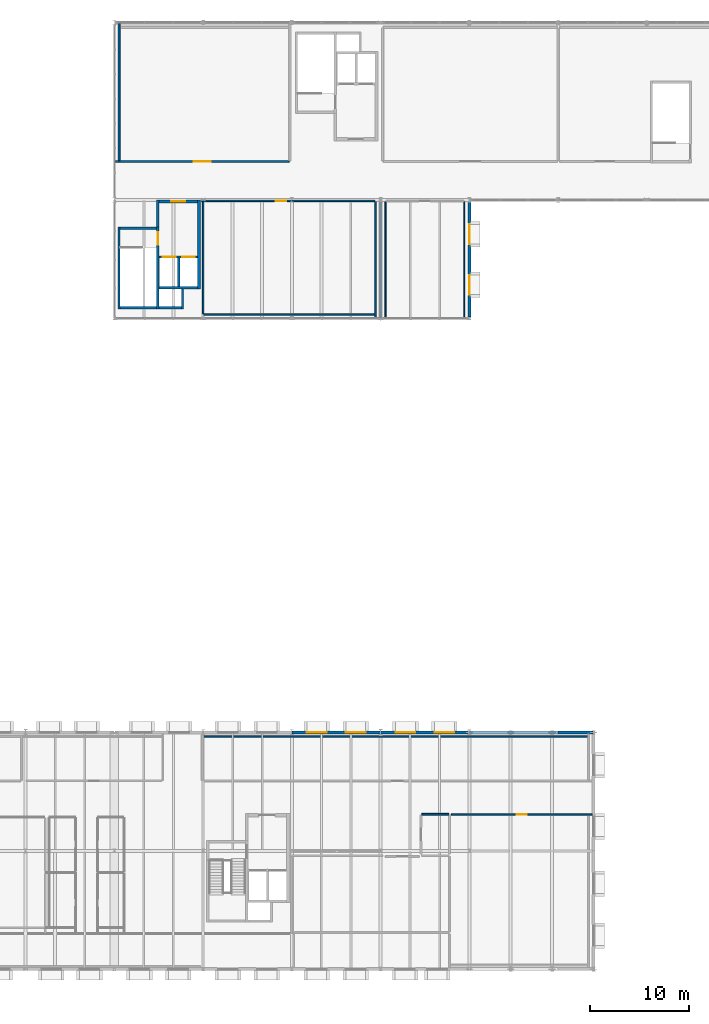
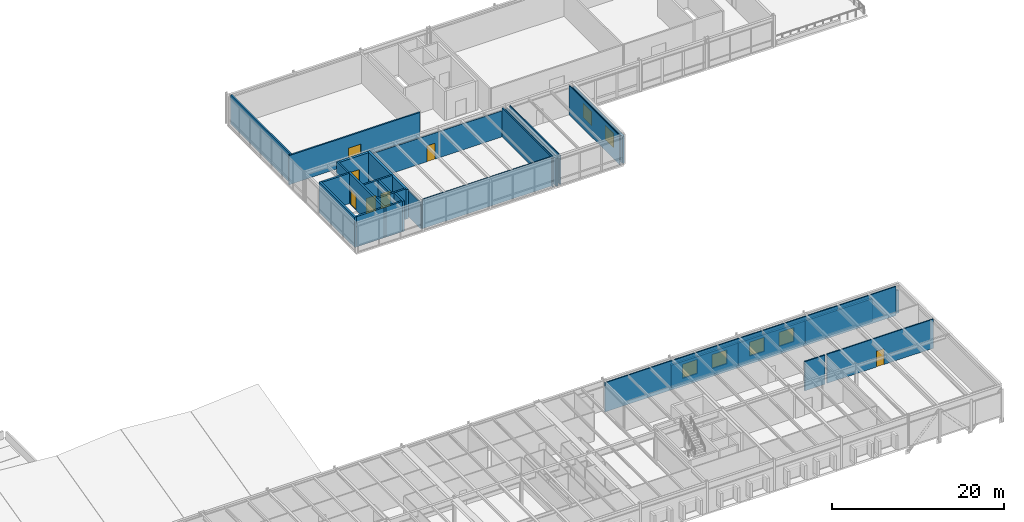
# One storey, part 59 of 67: 29 walls, 7 doors, 6 windows, 13 openings.
"""IFC4 building model written with IfcOpenShell, lengths in metres."""

from ifc_helpers import new_model, si_unit, direction, frame, frame_2d, origin, place, context, subcontext, project, spatial, rectangle, extrude, material, layer, layer_set, type_object, element, fill, save


model = new_model("IFC4")

# Units and contexts
model_context = context("Model", 3, precision=1e-05, world=origin(), true_north=direction((0.0, 1.0)))
body_context = subcontext(model_context, "Body", "Model", "MODEL_VIEW")
ifc_project = project(units=[si_unit("LENGTHUNIT", "METRE"), si_unit("AREAUNIT", "SQUARE_METRE"), si_unit("VOLUMEUNIT", "CUBIC_METRE"), si_unit("PLANEANGLEUNIT", "RADIAN"), si_unit("MASSUNIT", "GRAM", prefix="KILO")], contexts=[model_context])

# Site, building, storey
site_placement = place(None, origin())
site = spatial("IfcSite", under=ifc_project, at=site_placement, CompositionType="ELEMENT")
building_placement = place(site_placement, origin())
building = spatial("IfcBuilding", under=site, at=building_placement, Name="Montelvaro Courts of Justice", CompositionType="ELEMENT")
storey_placement = place(building_placement, frame((0.0, 0.0, 18.89990234375)))
storey = spatial("IfcBuildingStorey", under=building, at=storey_placement, Name="L04", CompositionType="ELEMENT", Elevation=18.89990234375)

# Walls
ifc_material_1 = material(Name="Gypsum board on metal stud")
ifc_layer_1 = layer(ifc_material_1, 0.14990234375)
ifc_layer_set_1 = layer_set([ifc_layer_1], Name="Gypsum board on metal stud")
wall_type_1 = type_object("IfcWallType", Name="ChambersPartition_150", PredefinedType="PARTITIONING", material=ifc_layer_set_1)
wall_1_placement = place(storey_placement, frame((125.5, 77.820068359375, 0.0), z_axis=(0.0, 0.0, 1.0), x_axis=(0.0, -1.0, 0.0)))
element("IfcWall", 1, at=wall_1_placement, inside=storey, type_object=wall_type_1, Name="Interior Partition IW-04 (L04)", PredefinedType="PARTITIONING", context=body_context, shape_type="SweptSolid", body=[
    extrude(rectangle(XDim=11.7451171875, YDim=0.14990234375, at=frame_2d((5.87255859375, 0.0))), origin(), (0.0, 0.0, 1.0), 4.14013671875),
])
wall_2_placement = place(storey_placement, frame((125.429931640625, 66.39990234375, 0.0), z_axis=(0.0, 0.0, 1.0), x_axis=(-1.0, 0.0, 0.0)))
element("IfcWall", 2, at=wall_2_placement, inside=storey, type_object=wall_type_1, Name="Interior Partition IW-04 (L04)", PredefinedType="PARTITIONING", context=body_context, shape_type="SweptSolid", body=[
    extrude(rectangle(XDim=17.349853515625, YDim=0.14990234375, at=frame_2d((8.6748046875, 0.0))), origin(), (0.0, 0.0, 1.0), 4.14013671875),
])
wall_3_placement = place(storey_placement, frame((108.0, 66.47998046875, 0.0), z_axis=(0.0, 0.0, 1.0), x_axis=(0.0, 1.0, 0.0)))
element("IfcWall", 3, at=wall_3_placement, inside=storey, type_object=wall_type_1, Name="Interior Partition IW-04 (L04)", PredefinedType="PARTITIONING", context=body_context, shape_type="SweptSolid", body=[
    extrude(rectangle(XDim=11.340087890625, YDim=0.14990234375, at=frame_2d((5.669921875, 0.0))), origin(), (0.0, 0.0, 1.0), 3.695068359375),
])

# Wall, opening, door
wall_4_placement = place(storey_placement, frame((107.798095703125, 77.89990234375, 0.0), z_axis=(0.0, 0.0, 1.0), x_axis=(1.0, 0.0, 0.0)))
wall_4 = element("IfcWall", 4, at=wall_4_placement, inside=storey, type_object=wall_type_1, Name="Interior Partition IW-04 (L04)", PredefinedType="PARTITIONING", context=body_context, shape_type="SweptSolid", body=[
    extrude(rectangle(XDim=17.621826171875, YDim=0.14990234375, at=frame_2d((8.81103515625, 0.0))), origin(), (0.0, 0.0, 1.0), 3.705078125),
])
opening_1_placement = place(wall_4_placement, frame((7.5810546875, 0.0, 0.0)))
opening_1 = element("IfcOpeningElement", 5, at=opening_1_placement, cuts=wall_4, Name="Opening D-L04-133", PredefinedType="OPENING", context=body_context, shape_type="SweptSolid", body=[
    extrude(rectangle(XDim=1.050048828125, YDim=2.25, at=frame_2d((0.52490234375, 1.125))), frame((0.0, 0.08984375, 0.0), z_axis=(0.0, -1.0, 0.0), x_axis=(1.0, 0.0, 0.0)), (0.0, 0.0, 1.0), 0.1796875),
])
ifc_material_2 = material(Name="Acoustic oak timber veneer", Category="wood")
door_type_1 = type_object("IfcDoorType", Name="ChamberDoor_105x225", OperationType="NOTDEFINED", PredefinedType="DOOR", material=ifc_material_2)
door_1_placement = place(opening_1_placement, frame((1.050048828125, 0.0, 0.0), z_axis=(0.0, 0.0, 1.0), x_axis=(-1.0, 0.0, 0.0)))
door_1 = element("IfcDoor", 6, at=door_1_placement, inside=storey, type_object=door_type_1, Name="Interior Door D-L04-133 (Jury Assembly and Waiting Lounge)", OperationType="SINGLE_SWING_RIGHT", OverallHeight=2.25, OverallWidth=1.050048828125, PredefinedType="DOOR", context=body_context, shape_type="SweptSolid", body=[
    extrude(rectangle(XDim=1.050048828125, YDim=2.25, at=frame_2d((0.52490234375, 1.125))), frame((0.0, 0.02490234375, 0.0), z_axis=(0.0, -1.0, 0.0), x_axis=(1.0, 0.0, 0.0)), (0.0, 0.0, 1.0), 0.050048828125),
])
fill(opening_1, door_1)

# Wall
wall_5_placement = place(storey_placement, frame((107.907958984375, 23.60009765625, 0.0), z_axis=(0.0, 0.0, 1.0), x_axis=(1.0, 0.0, 0.0)))
element("IfcWall", 7, at=wall_5_placement, inside=storey, type_object=wall_type_1, Name="Interior Partition IW-04 (L04)", PredefinedType="PARTITIONING", context=body_context, shape_type="SweptSolid", body=[
    extrude(rectangle(XDim=39.1220703125, YDim=0.14990234375, at=frame_2d((19.56103515625, 0.0))), origin(), (0.0, 0.0, 1.0), 4.14013671875),
])

# Wall, opening, door
wall_6_placement = place(storey_placement, frame((133.179931640625, 15.699951171875, 0.0), z_axis=(0.0, 0.0, 1.0), x_axis=(1.0, 0.0, 0.0)))
wall_6 = element("IfcWall", 8, at=wall_6_placement, inside=storey, type_object=wall_type_1, Name="Interior Partition IW-04 (L04)", PredefinedType="PARTITIONING", context=body_context, shape_type="SweptSolid", body=[
    extrude(rectangle(XDim=14.275146484375, YDim=0.14990234375, at=frame_2d((7.1376953125, 0.0))), origin(), (0.0, 0.0, 1.0), 4.14013671875),
])
opening_2_placement = place(wall_6_placement, frame((6.612060546875, 0.0, 0.0)))
opening_2 = element("IfcOpeningElement", 9, at=opening_2_placement, cuts=wall_6, Name="Opening D-L04-143", PredefinedType="OPENING", context=body_context, shape_type="SweptSolid", body=[
    extrude(rectangle(XDim=1.050048828125, YDim=2.25, at=frame_2d((0.52490234375, 1.125))), frame((0.0, 0.08984375, 0.0), z_axis=(0.0, -1.0, 0.0), x_axis=(1.0, 0.0, 0.0)), (0.0, 0.0, 1.0), 0.1796875),
])
door_2_placement = place(opening_2_placement, frame((1.050048828125, 0.0, 0.0), z_axis=(0.0, 0.0, 1.0), x_axis=(-1.0, 0.0, 0.0)))
door_2 = element("IfcDoor", 10, at=door_2_placement, inside=storey, type_object=door_type_1, Name="Interior Door D-L04-143 (Forensic Records Room L04)", OperationType="SINGLE_SWING_RIGHT", OverallHeight=2.25, OverallWidth=1.050048828125, PredefinedType="DOOR", context=body_context, shape_type="SweptSolid", body=[
    extrude(rectangle(XDim=1.050048828125, YDim=2.25, at=frame_2d((0.52490234375, 1.125))), frame((0.0, 0.02490234375, 0.0), z_axis=(0.0, -1.0, 0.0), x_axis=(1.0, 0.0, 0.0)), (0.0, 0.0, 1.0), 0.050048828125),
])
fill(opening_2, door_2)

ifc_material_3 = material(Name="Concrete C40/50", Category="concrete")
ifc_layer_2 = layer(ifc_material_3, 0.320068359375)
ifc_layer_set_2 = layer_set([ifc_layer_2], Name="Concrete C40/50")
wall_type_2 = type_object("IfcWallType", Name="CoreWall_320", PredefinedType="SHEAR", material=ifc_layer_set_2)
wall_7_placement = place(storey_placement, frame((103.5400390625, 77.840087890625, 0.0), z_axis=(0.0, 0.0, 1.0), x_axis=(1.0, 0.0, 0.0)))
wall_7 = element("IfcWall", 11, at=wall_7_placement, inside=storey, type_object=wall_type_2, Name="Core Shear Wall CW-02 K4-N (L04)", PredefinedType="SHEAR", context=body_context, shape_type="SweptSolid", body=[
    extrude(rectangle(XDim=3.89990234375, YDim=0.320068359375, at=frame_2d((1.949951171875, 0.0))), origin(), (0.0, 0.0, 1.0), 4.16015625),
])
opening_3_placement = place(wall_7_placement, frame((1.22509765625, 0.0, 0.0)))
opening_3 = element("IfcOpeningElement", 12, at=opening_3_placement, cuts=wall_7, Name="Opening DL-L04-K4", PredefinedType="OPENING", context=body_context, shape_type="SweptSolid", body=[
    extrude(rectangle(XDim=1.449951171875, YDim=2.199951171875, at=frame_2d((0.72509765625, 1.10009765625))), frame((0.0, 0.1748046875, 0.0), z_axis=(0.0, -1.0, 0.0), x_axis=(1.0, 0.0, 0.0)), (0.0, 0.0, 1.0), 0.349853515625),
])
ifc_material_4 = material(Name="Galvanised steel S355 security door", Category="steel")
door_type_2 = type_object("IfcDoorType", Name="LobbyFireDoor_145x220", OperationType="DOUBLE_DOOR_SINGLE_SWING", PredefinedType="DOOR", material=ifc_material_4)
door_3_placement = place(opening_3_placement, origin())
door_3 = element("IfcDoor", 13, at=door_3_placement, inside=storey, type_object=door_type_2, Name="Core Lobby Fire Door DL-L04-K4", OperationType="DOUBLE_DOOR_SINGLE_SWING", OverallHeight=2.199951171875, OverallWidth=1.449951171875, PredefinedType="DOOR", context=body_context, shape_type="SweptSolid", body=[
    extrude(rectangle(XDim=1.449951171875, YDim=2.199951171875, at=frame_2d((0.72509765625, 1.10009765625))), frame((0.0, 0.02490234375, 0.0), z_axis=(0.0, -1.0, 0.0), x_axis=(1.0, 0.0, 0.0)), (0.0, 0.0, 1.0), 0.050048828125),
])
fill(opening_3, door_3)

# Walls
wall_8_placement = place(storey_placement, frame((107.60009765625, 68.9599609375, 0.0), z_axis=(0.0, 0.0, 1.0), x_axis=(0.0, 1.0, 0.0)))
element("IfcWall", 14, at=wall_8_placement, inside=storey, type_object=wall_type_2, Name="Core Shear Wall CW-02 K4-E (L04)", PredefinedType="SHEAR", context=body_context, shape_type="SweptSolid", body=[
    extrude(rectangle(XDim=9.0400390625, YDim=0.320068359375, at=frame_2d((4.52001953125, 0.0))), origin(), (0.0, 0.0, 1.0), 4.16015625),
])
ifc_material_5 = material(Name="Fire-rated gypsum and steel stud", Category="steel")
ifc_layer_3 = layer(ifc_material_5, 0.179931640625)
ifc_layer_set_3 = layer_set([ifc_layer_3], Name="Fire-rated gypsum and steel stud")
wall_type_3 = type_object("IfcWallType", Name="CorridorFireWall_180", PredefinedType="PARTITIONING", material=ifc_layer_set_3)
wall_9_placement = place(storey_placement, frame((130.179931640625, 15.699951171875, 0.0), z_axis=(0.0, 0.0, 1.0), x_axis=(1.0, 0.0, 0.0)))
element("IfcWall", 15, at=wall_9_placement, inside=storey, type_object=wall_type_3, Name="Interior Partition IW-02 (L04)", PredefinedType="PARTITIONING", context=body_context, shape_type="SweptSolid", body=[
    extrude(rectangle(XDim=2.739990234375, YDim=0.179931640625, at=frame_2d((1.3701171875, 0.0))), origin(), (0.0, 0.0, 1.0), 4.14013671875),
])

# Wall, opening, door
ifc_material_6 = material(Name="Gypsum acoustic double stud with mineral wool")
ifc_layer_4 = layer(ifc_material_6, 0.199951171875)
ifc_layer_set_4 = layer_set([ifc_layer_4], Name="Gypsum acoustic double stud with mineral wool")
wall_type_4 = type_object("IfcWallType", Name="CourtAcousticWall_200", PredefinedType="PARTITIONING", material=ifc_layer_set_4)
wall_10_placement = place(storey_placement, frame((116.719970703125, 81.89990234375, 0.0), z_axis=(0.0, 0.0, 1.0), x_axis=(-1.0, 0.0, 0.0)))
wall_10 = element("IfcWall", 16, at=wall_10_placement, inside=storey, type_object=wall_type_4, Name="Interior Partition IW-01 (L04)", PredefinedType="PARTITIONING", context=body_context, shape_type="SweptSolid", body=[
    extrude(rectangle(XDim=17.594970703125, YDim=0.199951171875, at=frame_2d((8.79736328125, 0.0))), origin(), (0.0, 0.0, 1.0), 4.14013671875),
])
opening_4_placement = place(wall_10_placement, frame((7.947021484375, 0.0, 0.0)))
opening_4 = element("IfcOpeningElement", 17, at=opening_4_placement, cuts=wall_10, Name="Opening D-L04-130", PredefinedType="OPENING", context=body_context, shape_type="SweptSolid", body=[
    extrude(rectangle(XDim=1.699951171875, YDim=2.39990234375, at=frame_2d((0.85009765625, 1.199951171875))), frame((0.0, 0.11474609375, 0.0), z_axis=(0.0, -1.0, 0.0), x_axis=(1.0, 0.0, 0.0)), (0.0, 0.0, 1.0), 0.229736328125),
])
door_type_3 = type_object("IfcDoorType", Name="CourtDoor_170x240", OperationType="DOUBLE_DOOR_SINGLE_SWING", PredefinedType="DOOR", material=ifc_material_2)
door_4_placement = place(opening_4_placement, origin())
door_4 = element("IfcDoor", 18, at=door_4_placement, inside=storey, type_object=door_type_3, Name="Interior Door D-L04-130 (Provincial Appellate Criminal Courtroom 16)", OperationType="DOUBLE_DOOR_SINGLE_SWING", OverallHeight=2.39990234375, OverallWidth=1.699951171875, PredefinedType="DOOR", context=body_context, shape_type="SweptSolid", body=[
    extrude(rectangle(XDim=1.699951171875, YDim=2.39990234375, at=frame_2d((0.85009765625, 1.199951171875))), frame((0.0, 0.02490234375, 0.0), z_axis=(0.0, -1.0, 0.0), x_axis=(1.0, 0.0, 0.0)), (0.0, 0.0, 1.0), 0.050048828125),
])
fill(opening_4, door_4)

# Wall
wall_11_placement = place(storey_placement, frame((99.5, 81.97998046875, 0.0), z_axis=(0.0, 0.0, 1.0), x_axis=(0.0, 1.0, 0.0)))
element("IfcWall", 19, at=wall_11_placement, inside=storey, type_object=wall_type_4, Name="Interior Partition IW-01 (L04)", PredefinedType="PARTITIONING", context=body_context, shape_type="SweptSolid", body=[
    extrude(rectangle(XDim=13.945068359375, YDim=0.199951171875, at=frame_2d((6.97265625, 0.0))), origin(), (0.0, 0.0, 1.0), 4.14013671875),
])

# Wall, openings, windows
ifc_material_7 = material(Name="White mineral precast concrete C45/55", Category="concrete")
ifc_layer_5 = layer(ifc_material_7, 0.300048828125)
ifc_layer_set_5 = layer_set([ifc_layer_5], Name="White mineral precast concrete C45/55")
wall_type_5 = type_object("IfcWallType", Name="ExtWall_GFRC_300", PredefinedType="SOLIDWALL", material=ifc_layer_set_5)
wall_12_placement = place(storey_placement, frame((135.0, 66.1279296875, 0.0), z_axis=(0.0, 0.0, 1.0), x_axis=(0.0, 1.0, 0.0)))
wall_12 = element("IfcWall", 20, at=wall_12_placement, inside=storey, type_object=wall_type_5, Name="Exterior Facade Wall EW-02 (L04)", PredefinedType="SOLIDWALL", context=body_context, shape_type="SweptSolid", body=[
    extrude(rectangle(XDim=11.649169921875, YDim=0.300048828125, at=frame_2d((5.82470703125, 0.0))), origin(), (0.0, 0.0, 1.0), 3.85498046875),
])
opening_5_placement = place(wall_12_placement, frame((2.261962890625, 0.0, 0.85009765625)))
opening_5 = element("IfcOpeningElement", 21, at=opening_5_placement, cuts=wall_12, Name="Opening WE-11", PredefinedType="OPENING", context=body_context, shape_type="SweptSolid", body=[
    extrude(rectangle(XDim=2.0, YDim=2.0, at=frame_2d((1.0, 1.0))), frame((0.0, 0.1650390625, 0.0), z_axis=(0.0, -1.0, 0.0), x_axis=(1.0, 0.0, 0.0)), (0.0, 0.0, 1.0), 0.329833984375),
])
opening_6_placement = place(wall_12_placement, frame((7.386962890625, 0.0, 0.85009765625)))
opening_6 = element("IfcOpeningElement", 22, at=opening_6_placement, cuts=wall_12, Name="Opening WE-11", PredefinedType="OPENING", context=body_context, shape_type="SweptSolid", body=[
    extrude(rectangle(XDim=2.0, YDim=2.0, at=frame_2d((1.0, 1.0))), frame((0.0, 0.1650390625, 0.0), z_axis=(0.0, -1.0, 0.0), x_axis=(1.0, 0.0, 0.0)), (0.0, 0.0, 1.0), 0.329833984375),
])
ifc_material_8 = material(Name="Low-E solar control double glazing", Category="glass")
window_type = type_object("IfcWindowType", Name="Win_Sq_200x200", PartitioningType="SINGLE_PANEL", PredefinedType="WINDOW", material=ifc_material_8)
window_1_placement = place(opening_5_placement, origin())
window_1 = element("IfcWindow", 23, at=window_1_placement, inside=storey, type_object=window_type, Name="Window W-L04-187", OverallHeight=2.0, OverallWidth=2.0, PartitioningType="SINGLE_PANEL", PredefinedType="WINDOW", context=body_context, shape_type="SweptSolid", body=[
    extrude(rectangle(XDim=2.0, YDim=2.0, at=frame_2d((1.0, 1.0))), frame((0.0, 0.030029296875, 0.0), z_axis=(0.0, -1.0, 0.0), x_axis=(1.0, 0.0, 0.0)), (0.0, 0.0, 1.0), 0.06005859375),
])
fill(opening_5, window_1)
window_2_placement = place(opening_6_placement, origin())
window_2 = element("IfcWindow", 24, at=window_2_placement, inside=storey, type_object=window_type, Name="Window W-L04-188", OverallHeight=2.0, OverallWidth=2.0, PartitioningType="SINGLE_PANEL", PredefinedType="WINDOW", context=body_context, shape_type="SweptSolid", body=[
    extrude(rectangle(XDim=2.0, YDim=2.0, at=frame_2d((1.0, 1.0))), frame((0.0, 0.030029296875, 0.0), z_axis=(0.0, -1.0, 0.0), x_axis=(1.0, 0.0, 0.0)), (0.0, 0.0, 1.0), 0.06005859375),
])
fill(opening_6, window_2)

# Walls
wall_13_placement = place(storey_placement, frame((147.56005859375, 24.0, 0.0), z_axis=(0.0, 0.0, 1.0), x_axis=(-1.0, 0.0, 0.0)))
element("IfcWall", 25, at=wall_13_placement, inside=storey, type_object=wall_type_5, Name="Exterior Facade Wall EW-02 (L04)", PredefinedType="SOLIDWALL", context=body_context, shape_type="SweptSolid", body=[
    extrude(rectangle(XDim=3.570068359375, YDim=0.300048828125, at=frame_2d((1.78515625, 0.0))), origin(), (0.0, 0.0, 1.0), 3.2470703125),
])
wall_14_placement = place(storey_placement, frame((144.010009765625, 24.0, 0.0), z_axis=(0.0, 0.0, 1.0), x_axis=(-1.0, 0.0, 0.0)))
element("IfcWall", 26, at=wall_14_placement, inside=storey, type_object=wall_type_5, Name="Exterior Facade Wall EW-02 (L04)", PredefinedType="SOLIDWALL", context=body_context, shape_type="SweptSolid", body=[
    extrude(rectangle(XDim=9.001953125, YDim=0.300048828125, at=frame_2d((4.5009765625, 0.0))), origin(), (0.0, 0.0, 1.0), 3.2470703125),
])

# Wall, openings, windows
wall_15_placement = place(storey_placement, frame((134.991943359375, 24.0, 0.0), z_axis=(0.0, 0.0, 1.0), x_axis=(-1.0, 0.0, 0.0)))
wall_15 = element("IfcWall", 27, at=wall_15_placement, inside=storey, type_object=wall_type_5, Name="Exterior Facade Wall EW-02 (L04)", PredefinedType="SOLIDWALL", context=body_context, shape_type="SweptSolid", body=[
    extrude(rectangle(XDim=8.98388671875, YDim=0.300048828125, at=frame_2d((4.491943359375, 0.0))), origin(), (0.0, 0.0, 1.0), 3.2470703125),
])
opening_7_placement = place(wall_15_placement, frame((1.51611328125, 0.0, 0.85009765625)))
opening_7 = element("IfcOpeningElement", 28, at=opening_7_placement, cuts=wall_15, Name="Opening WE-11", PredefinedType="OPENING", context=body_context, shape_type="SweptSolid", body=[
    extrude(rectangle(XDim=2.0, YDim=2.0, at=frame_2d((1.0, 1.0))), frame((0.0, 0.1650390625, 0.0), z_axis=(0.0, -1.0, 0.0), x_axis=(1.0, 0.0, 0.0)), (0.0, 0.0, 1.0), 0.329833984375),
])
opening_8_placement = place(wall_15_placement, frame((5.468017578125, 0.0, 0.85009765625)))
opening_8 = element("IfcOpeningElement", 29, at=opening_8_placement, cuts=wall_15, Name="Opening WE-11", PredefinedType="OPENING", context=body_context, shape_type="SweptSolid", body=[
    extrude(rectangle(XDim=2.0, YDim=2.0, at=frame_2d((1.0, 1.0))), frame((0.0, 0.1650390625, 0.0), z_axis=(0.0, -1.0, 0.0), x_axis=(1.0, 0.0, 0.0)), (0.0, 0.0, 1.0), 0.329833984375),
])
window_3_placement = place(opening_7_placement, origin())
window_3 = element("IfcWindow", 30, at=window_3_placement, inside=storey, type_object=window_type, Name="Window W-L04-229", OverallHeight=2.0, OverallWidth=2.0, PartitioningType="SINGLE_PANEL", PredefinedType="WINDOW", context=body_context, shape_type="SweptSolid", body=[
    extrude(rectangle(XDim=2.0, YDim=2.0, at=frame_2d((1.0, 1.0))), frame((0.0, 0.030029296875, 0.0), z_axis=(0.0, -1.0, 0.0), x_axis=(1.0, 0.0, 0.0)), (0.0, 0.0, 1.0), 0.06005859375),
])
fill(opening_7, window_3)
window_4_placement = place(opening_8_placement, origin())
window_4 = element("IfcWindow", 31, at=window_4_placement, inside=storey, type_object=window_type, Name="Window W-L04-230", OverallHeight=2.0, OverallWidth=2.0, PartitioningType="SINGLE_PANEL", PredefinedType="WINDOW", context=body_context, shape_type="SweptSolid", body=[
    extrude(rectangle(XDim=2.0, YDim=2.0, at=frame_2d((1.0, 1.0))), frame((0.0, 0.030029296875, 0.0), z_axis=(0.0, -1.0, 0.0), x_axis=(1.0, 0.0, 0.0)), (0.0, 0.0, 1.0), 0.06005859375),
])
fill(opening_8, window_4)

wall_16_placement = place(storey_placement, frame((125.991943359375, 24.0, 0.0), z_axis=(0.0, 0.0, 1.0), x_axis=(-1.0, 0.0, 0.0)))
wall_16 = element("IfcWall", 32, at=wall_16_placement, inside=storey, type_object=wall_type_5, Name="Exterior Facade Wall EW-02 (L04)", PredefinedType="SOLIDWALL", context=body_context, shape_type="SweptSolid", body=[
    extrude(rectangle(XDim=8.98388671875, YDim=0.300048828125, at=frame_2d((4.491943359375, 0.0))), origin(), (0.0, 0.0, 1.0), 3.2470703125),
])
opening_9_placement = place(wall_16_placement, frame((1.51611328125, 0.0, 0.85009765625)))
opening_9 = element("IfcOpeningElement", 33, at=opening_9_placement, cuts=wall_16, Name="Opening WE-11", PredefinedType="OPENING", context=body_context, shape_type="SweptSolid", body=[
    extrude(rectangle(XDim=2.0, YDim=2.0, at=frame_2d((1.0, 1.0))), frame((0.0, 0.1650390625, 0.0), z_axis=(0.0, -1.0, 0.0), x_axis=(1.0, 0.0, 0.0)), (0.0, 0.0, 1.0), 0.329833984375),
])
opening_10_placement = place(wall_16_placement, frame((5.468017578125, 0.0, 0.85009765625)))
opening_10 = element("IfcOpeningElement", 34, at=opening_10_placement, cuts=wall_16, Name="Opening WE-11", PredefinedType="OPENING", context=body_context, shape_type="SweptSolid", body=[
    extrude(rectangle(XDim=2.0, YDim=2.0, at=frame_2d((1.0, 1.0))), frame((0.0, 0.1650390625, 0.0), z_axis=(0.0, -1.0, 0.0), x_axis=(1.0, 0.0, 0.0)), (0.0, 0.0, 1.0), 0.329833984375),
])
window_5_placement = place(opening_9_placement, origin())
window_5 = element("IfcWindow", 35, at=window_5_placement, inside=storey, type_object=window_type, Name="Window W-L04-231", OverallHeight=2.0, OverallWidth=2.0, PartitioningType="SINGLE_PANEL", PredefinedType="WINDOW", context=body_context, shape_type="SweptSolid", body=[
    extrude(rectangle(XDim=2.0, YDim=2.0, at=frame_2d((1.0, 1.0))), frame((0.0, 0.030029296875, 0.0), z_axis=(0.0, -1.0, 0.0), x_axis=(1.0, 0.0, 0.0)), (0.0, 0.0, 1.0), 0.06005859375),
])
fill(opening_9, window_5)
window_6_placement = place(opening_10_placement, origin())
window_6 = element("IfcWindow", 36, at=window_6_placement, inside=storey, type_object=window_type, Name="Window W-L04-232", OverallHeight=2.0, OverallWidth=2.0, PartitioningType="SINGLE_PANEL", PredefinedType="WINDOW", context=body_context, shape_type="SweptSolid", body=[
    extrude(rectangle(XDim=2.0, YDim=2.0, at=frame_2d((1.0, 1.0))), frame((0.0, 0.030029296875, 0.0), z_axis=(0.0, -1.0, 0.0), x_axis=(1.0, 0.0, 0.0)), (0.0, 0.0, 1.0), 0.06005859375),
])
fill(opening_10, window_6)

# Walls
ifc_layer_6 = layer(ifc_material_1, 0.1201171875)
ifc_layer_set_6 = layer_set([ifc_layer_6], Name="Gypsum board on metal stud")
wall_type_6 = type_object("IfcWallType", Name="OfficePartition_120", PredefinedType="PARTITIONING", material=ifc_layer_set_6)
for number, where, z_axis, x_axis, name in (
    (37, (126.5, 66.074951171875, 0.0), (0.0, 0.0, 1.0), (0.0, 1.0, 0.0), "Interior Partition IW-05 (L04)"),
    (38, (134.5, 77.820068359375, 0.0), (0.0, 0.0, 1.0), (0.0, -1.0, 0.0), "Interior Partition IW-05 (L04)"),
):
    element("IfcWall", number, at=place(storey_placement, frame(where, z_axis=z_axis, x_axis=x_axis)), inside=storey, type_object=wall_type_6, Name=name, PredefinedType="PARTITIONING", context=body_context, shape_type="SweptSolid", body=[
        extrude(rectangle(XDim=11.7451171875, YDim=0.1201171875, at=frame_2d((5.87255859375, 0.0))), origin(), (0.0, 0.0, 1.0), 4.14013671875),
    ])
ifc_material_9 = material(Name="Concrete C35/45", Category="concrete")
ifc_layer_7 = layer(ifc_material_9, 0.239990234375)
ifc_layer_set_7 = layer_set([ifc_layer_7], Name="Concrete C35/45")
wall_type_7 = type_object("IfcWallType", Name="ShaftWall_240", PredefinedType="SHEAR", material=ifc_layer_set_7)
wall_17_placement = place(storey_placement, frame((99.47998046875, 66.9599609375, 0.0), z_axis=(0.0, 0.0, 1.0), x_axis=(0.0, 1.0, 0.0)))
element("IfcWall", 39, at=wall_17_placement, inside=storey, type_object=wall_type_7, Name="Protected Stair Structural Wall ST-K4-W (L04)", PredefinedType="SHEAR", context=body_context, shape_type="SweptSolid", body=[
    extrude(rectangle(XDim=8.280029296875, YDim=0.239990234375, at=frame_2d((4.14013671875, 0.0))), origin(), (0.0, 0.0, 1.0), 4.31005859375),
])

# Wall, opening, door
wall_18_placement = place(storey_placement, frame((103.419921875, 66.9599609375, 0.0), z_axis=(0.0, 0.0, 1.0), x_axis=(0.0, 1.0, 0.0)))
wall_18 = element("IfcWall", 40, at=wall_18_placement, inside=storey, type_object=wall_type_7, Name="Protected Stair Structural Wall ST-K4-E (L04)", PredefinedType="SHEAR", context=body_context, shape_type="SweptSolid", body=[
    extrude(rectangle(XDim=8.280029296875, YDim=0.239990234375, at=frame_2d((4.14013671875, 0.0))), origin(), (0.0, 0.0, 1.0), 4.31005859375),
])
opening_11_placement = place(wall_18_placement, frame((6.489990234375, 0.0, 0.0)))
opening_11 = element("IfcOpeningElement", 41, at=opening_11_placement, cuts=wall_18, Name="Opening DS-L04-K4", PredefinedType="OPENING", context=body_context, shape_type="SweptSolid", body=[
    extrude(rectangle(XDim=1.300048828125, YDim=2.199951171875, at=frame_2d((0.64990234375, 1.10009765625))), frame((0.0, 0.134765625, 0.0), z_axis=(0.0, -1.0, 0.0), x_axis=(1.0, 0.0, 0.0)), (0.0, 0.0, 1.0), 0.269775390625),
])
door_type_4 = type_object("IfcDoorType", Name="StairFireDoor_130x220", OperationType="NOTDEFINED", PredefinedType="DOOR", material=ifc_material_4)
door_5_placement = place(opening_11_placement, frame((1.300048828125, 0.0, 0.0), z_axis=(0.0, 0.0, 1.0), x_axis=(-1.0, 0.0, 0.0)))
door_5 = element("IfcDoor", 42, at=door_5_placement, inside=storey, type_object=door_type_4, Name="Protected Stair Fire Door DS-L04-K4", OperationType="SINGLE_SWING_LEFT", OverallHeight=2.199951171875, OverallWidth=1.300048828125, PredefinedType="DOOR", context=body_context, shape_type="SweptSolid", body=[
    extrude(rectangle(XDim=1.300048828125, YDim=2.199951171875, at=frame_2d((0.64990234375, 1.10009765625))), frame((0.0, 0.02490234375, 0.0), z_axis=(0.0, -1.0, 0.0), x_axis=(1.0, 0.0, 0.0)), (0.0, 0.0, 1.0), 0.050048828125),
])
fill(opening_11, door_5)

# Walls
for number, where, z_axis, x_axis, name in (
    (43, (99.60009765625, 67.080078125, 0.0), (0.0, 0.0, 1.0), (1.0, 0.0, 0.0), "Protected Stair Structural Wall ST-K4-S (L04)"),
    (44, (99.60009765625, 75.1201171875, 0.0), (0.0, 0.0, 1.0), (1.0, 0.0, 0.0), "Protected Stair Structural Wall ST-K4-N (L04)"),
):
    element("IfcWall", number, at=place(storey_placement, frame(where, z_axis=z_axis, x_axis=x_axis)), inside=storey, type_object=wall_type_7, Name=name, PredefinedType="SHEAR", context=body_context, shape_type="SweptSolid", body=[
        extrude(rectangle(XDim=3.699951171875, YDim=0.239990234375, at=frame_2d((1.85009765625, 0.0))), origin(), (0.0, 0.0, 1.0), 4.31005859375),
    ])
wall_19_placement = place(storey_placement, frame((103.419921875, 75.239990234375, 0.0), z_axis=(0.0, 0.0, 1.0), x_axis=(0.0, 1.0, 0.0)))
element("IfcWall", 45, at=wall_19_placement, inside=storey, type_object=wall_type_7, Name="Core Lobby Structural Wall K4-W (L04)", PredefinedType="SHEAR", context=body_context, shape_type="SweptSolid", body=[
    extrude(rectangle(XDim=2.760009765625, YDim=0.239990234375, at=frame_2d((1.3798828125, 0.0))), origin(), (0.0, 0.0, 1.0), 4.16015625),
])

# Wall, openings, doors
wall_20_placement = place(storey_placement, frame((103.5400390625, 72.219970703125, 0.0), z_axis=(0.0, 0.0, 1.0), x_axis=(1.0, 0.0, 0.0)))
wall_20 = element("IfcWall", 46, at=wall_20_placement, inside=storey, type_object=wall_type_7, Name="Lift Shaft Bank Wall K4 (L04)", PredefinedType="SHEAR", context=body_context, shape_type="SweptSolid", body=[
    extrude(rectangle(XDim=3.89990234375, YDim=0.239990234375, at=frame_2d((1.949951171875, 0.0))), origin(), (0.0, 0.0, 1.0), 4.31005859375),
])
opening_12_placement = place(wall_20_placement, frame((0.385009765625, 0.0, 0.0)))
opening_12 = element("IfcOpeningElement", 47, at=opening_12_placement, cuts=wall_20, Name="Opening LD-LP-01-L04", PredefinedType="OPENING", context=body_context, shape_type="SweptSolid", body=[
    extrude(rectangle(XDim=1.300048828125, YDim=2.199951171875, at=frame_2d((0.64990234375, 1.10009765625))), frame((0.0, 0.134765625, 0.0), z_axis=(0.0, -1.0, 0.0), x_axis=(1.0, 0.0, 0.0)), (0.0, 0.0, 1.0), 0.269775390625),
])
opening_13_placement = place(wall_20_placement, frame((2.3349609375, 0.0, 0.0)))
opening_13 = element("IfcOpeningElement", 48, at=opening_13_placement, cuts=wall_20, Name="Opening LD-LP-02-L04", PredefinedType="OPENING", context=body_context, shape_type="SweptSolid", body=[
    extrude(rectangle(XDim=1.300048828125, YDim=2.199951171875, at=frame_2d((0.64990234375, 1.10009765625))), frame((0.0, 0.134765625, 0.0), z_axis=(0.0, -1.0, 0.0), x_axis=(1.0, 0.0, 0.0)), (0.0, 0.0, 1.0), 0.269775390625),
])
door_type_5 = type_object("IfcDoorType", Name="LiftDoor_130x220", OperationType="DOUBLE_DOOR_SLIDING", PredefinedType="DOOR", material=ifc_material_4)
door_6_placement = place(opening_12_placement, origin())
door_6 = element("IfcDoor", 49, at=door_6_placement, inside=storey, type_object=door_type_5, Name="Lift Landing Sliding Door LD-LP-01-L04", OperationType="DOUBLE_DOOR_SLIDING", OverallHeight=2.199951171875, OverallWidth=1.300048828125, PredefinedType="DOOR", context=body_context, shape_type="SweptSolid", body=[
    extrude(rectangle(XDim=1.300048828125, YDim=2.199951171875, at=frame_2d((0.64990234375, 1.10009765625))), frame((0.0, 0.02490234375, 0.0), z_axis=(0.0, -1.0, 0.0), x_axis=(1.0, 0.0, 0.0)), (0.0, 0.0, 1.0), 0.050048828125),
])
fill(opening_12, door_6)
door_7_placement = place(opening_13_placement, origin())
door_7 = element("IfcDoor", 50, at=door_7_placement, inside=storey, type_object=door_type_5, Name="Lift Landing Sliding Door LD-LP-02-L04", OperationType="DOUBLE_DOOR_SLIDING", OverallHeight=2.199951171875, OverallWidth=1.300048828125, PredefinedType="DOOR", context=body_context, shape_type="SweptSolid", body=[
    extrude(rectangle(XDim=1.300048828125, YDim=2.199951171875, at=frame_2d((0.64990234375, 1.10009765625))), frame((0.0, 0.02490234375, 0.0), z_axis=(0.0, -1.0, 0.0), x_axis=(1.0, 0.0, 0.0)), (0.0, 0.0, 1.0), 0.050048828125),
])
fill(opening_13, door_7)

# Walls
wall_21_placement = place(storey_placement, frame((103.5400390625, 69.080078125, 0.0), z_axis=(0.0, 0.0, 1.0), x_axis=(1.0, 0.0, 0.0)))
element("IfcWall", 51, at=wall_21_placement, inside=storey, type_object=wall_type_7, Name="Lift Shaft Back Wall K4 (L04)", PredefinedType="SHEAR", context=body_context, shape_type="SweptSolid", body=[
    extrude(rectangle(XDim=3.89990234375, YDim=0.239990234375, at=frame_2d((1.949951171875, 0.0))), origin(), (0.0, 0.0, 1.0), 4.31005859375),
])
wall_22_placement = place(storey_placement, frame((105.550048828125, 69.199951171875, 0.0), z_axis=(0.0, 0.0, 1.0), x_axis=(0.0, 1.0, 0.0)))
element("IfcWall", 52, at=wall_22_placement, inside=storey, type_object=wall_type_7, Name="Lift Shaft Divider Wall K4-LFD1 (L04)", PredefinedType="SHEAR", context=body_context, shape_type="SweptSolid", body=[
    extrude(rectangle(XDim=2.900146484375, YDim=0.239990234375, at=frame_2d((1.4501953125, 0.0))), origin(), (0.0, 0.0, 1.0), 4.31005859375),
])
wall_23_placement = place(storey_placement, frame((105.919921875, 66.9599609375, 0.0), z_axis=(0.0, 0.0, 1.0), x_axis=(0.0, 1.0, 0.0)))
element("IfcWall", 53, at=wall_23_placement, inside=storey, type_object=wall_type_7, Name="Service Riser East Shaft Wall K4 (L04)", PredefinedType="SHEAR", context=body_context, shape_type="SweptSolid", body=[
    extrude(rectangle(XDim=2.0, YDim=0.239990234375, at=frame_2d((1.0, 0.0))), origin(), (0.0, 0.0, 1.0), 4.31005859375),
])
wall_24_placement = place(storey_placement, frame((103.5400390625, 67.080078125, 0.0), z_axis=(0.0, 0.0, 1.0), x_axis=(1.0, 0.0, 0.0)))
element("IfcWall", 54, at=wall_24_placement, inside=storey, type_object=wall_type_7, Name="Service Riser South Shaft Wall K4 (L04)", PredefinedType="SHEAR", context=body_context, shape_type="SweptSolid", body=[
    extrude(rectangle(XDim=2.260009765625, YDim=0.239990234375, at=frame_2d((1.1298828125, 0.0))), origin(), (0.0, 0.0, 1.0), 4.31005859375),
])
wall_25_placement = place(storey_placement, frame((126.0, 66.008056640625, 0.0), z_axis=(0.0, 0.0, 1.0), x_axis=(0.0, 1.0, 0.0)))
element("IfcWall", 55, at=wall_25_placement, inside=storey, type_object=wall_type_7, Name="Enclosed Braced Frame Structural Wall CBF3 (L04)", PredefinedType="SHEAR", context=body_context, shape_type="SweptSolid", body=[
    extrude(rectangle(XDim=11.76904296875, YDim=0.239990234375, at=frame_2d((5.884521484375, 0.0))), origin(), (0.0, 0.0, 1.0), 3.905029296875),
])

save(model, "model.ifc")
